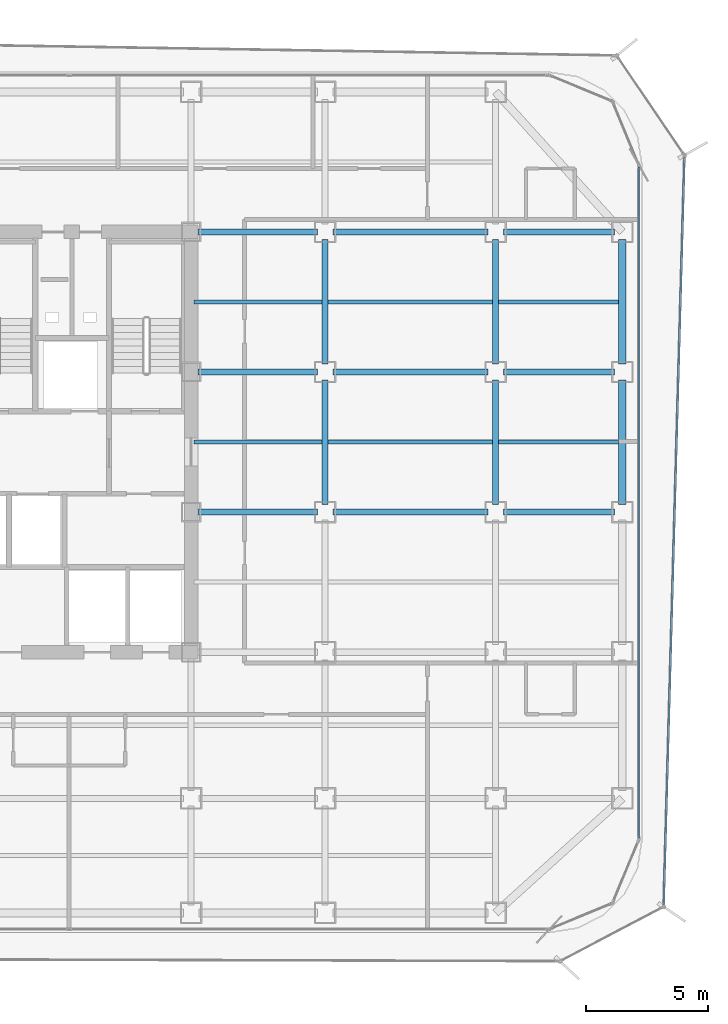
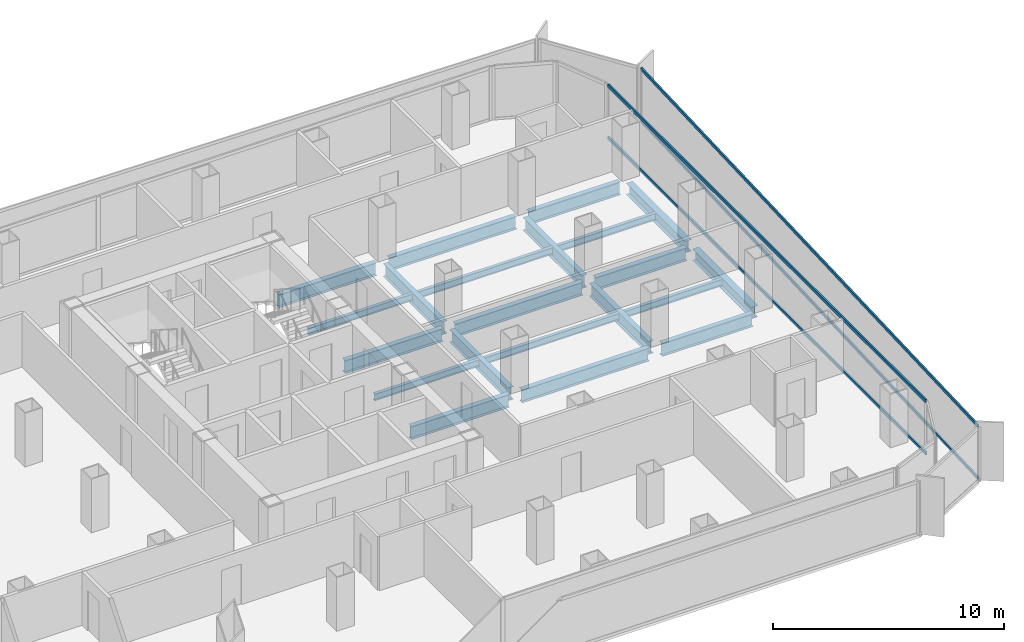
# One storey, part 9 of 21: 21 beams, 4 members, 2 elements without a shape of their own.
"""IFC4 building model written with IfcOpenShell, lengths in metres."""

from ifc_helpers import new_model, si_unit, direction, frame, origin, origin_2d, place, context, subcontext, project, spatial, hollow_rectangle, i_section, extrude, source, transform, mapped, material, layer, layer_set, material_profile, profile_set, type_object, element, aggregate, save


model = new_model("IFC4")

# Units and contexts
model_context = context("Model", 3, precision=1e-05, world=origin(), true_north=direction((0.0, 1.0)))
body_context = subcontext(model_context, "Body", "Model", "MODEL_VIEW")
ifc_project = project(units=[si_unit("LENGTHUNIT", "METRE"), si_unit("AREAUNIT", "SQUARE_METRE"), si_unit("VOLUMEUNIT", "CUBIC_METRE"), si_unit("PLANEANGLEUNIT", "RADIAN"), si_unit("MASSUNIT", "GRAM", prefix="KILO")], contexts=[model_context])

# Site, building, storey
site_placement = place(None, origin())
site = spatial("IfcSite", under=ifc_project, at=site_placement, CompositionType="ELEMENT")
building_placement = place(site_placement, origin())
building = spatial("IfcBuilding", under=site, at=building_placement, Name="Kolveth Station Tower", CompositionType="ELEMENT")
storey_placement = place(building_placement, frame((0.0, 0.0, 140.699951171875)))
storey = spatial("IfcBuildingStorey", under=building, at=storey_placement, Name="L39", CompositionType="ELEMENT", Elevation=140.699951171875)

# Beams
ifc_material_1 = material(Name="Steel S355", Category="steel")
ifc_material_profile_1 = material_profile(ifc_material_1, i_section(OverallWidth=0.323974609375, OverallDepth=0.611083984375, WebThickness=0.0126953125, FlangeThickness=0.01904296875, at=origin_2d()), Name="W610x155")
ifc_profile_set_1 = profile_set([ifc_material_profile_1], Name="Steel S355")
beam_type_1 = type_object("IfcBeamType", Name="Beam_SP2", PredefinedType="SPANDREL", material=ifc_profile_set_1)
shared_shape_1 = source(origin(), body_context, "Body", "SweptSolid", [
    extrude(i_section(OverallWidth=0.323974609375, OverallDepth=0.611083984375, WebThickness=0.0126953125, FlangeThickness=0.01904296875, at=origin_2d()), origin(), (0.0, 0.0, 1.0), 5.10986328125),
])
for number, where, z_axis, x_axis, name in (
    (1, (46.199951171875, 17.570068359375, -0.555419921875), (0.0, 1.0, 0.0), (-1.0, 0.0, 0.0), "L39 Perimeter Spandrel BM-L39-PE-3"),
    (2, (46.199951171875, 23.320068359375, -0.555419921875), (0.0, 1.0, 0.0), (-1.0, 0.0, 0.0), "L39 Perimeter Spandrel BM-L39-PE-4"),
):
    element("IfcBeam", number, at=place(storey_placement, frame(where, z_axis=z_axis, x_axis=x_axis)), inside=storey, type_object=beam_type_1, Name=name, PredefinedType="SPANDREL", context=body_context, shape_type="MappedRepresentation", body=[
        mapped(shared_shape_1, transform((0.0, 0.0, 0.0), x_axis=(1.0, 0.0, 0.0), y_axis=(0.0, 1.0, 0.0), z_axis=(0.0, 0.0, 1.0), scale=1.0)),
    ])
ifc_material_profile_2 = material_profile(ifc_material_1, i_section(OverallWidth=0.25390625, OverallDepth=0.68798828125, WebThickness=0.01318359375, FlangeThickness=0.02099609375, at=origin_2d()), Name="W690x152")
ifc_profile_set_2 = profile_set([ifc_material_profile_2], Name="Steel S355")
beam_type_2 = type_object("IfcBeamType", Name="Beam_B4", PredefinedType="BEAM", material=ifc_profile_set_2)
shared_shape_2 = source(origin(), body_context, "Body", "SweptSolid", [
    extrude(i_section(OverallWidth=0.25390625, OverallDepth=0.68798828125, WebThickness=0.01318359375, FlangeThickness=0.02099609375, at=origin_2d()), origin(), (0.0, 0.0, 1.0), 4.559814453125),
])
for number, where, z_axis, x_axis, name in (
    (3, (41.320068359375, 17.25, -0.593994140625), (1.0, 0.0, 0.0), (0.0, 1.0, 0.0), "L39 Primary Girder BM-L39-GY172-7"),
    (4, (41.320068359375, 23.0, -0.593994140625), (1.0, 0.0, 0.0), (0.0, 1.0, 0.0), "L39 Primary Girder BM-L39-GY230-7"),
    (5, (41.320068359375, 28.75, -0.593994140625), (1.0, 0.0, 0.0), (0.0, 1.0, 0.0), "L39 Primary Girder BM-L39-GY287-7"),
):
    element("IfcBeam", number, at=place(storey_placement, frame(where, z_axis=z_axis, x_axis=x_axis)), inside=storey, type_object=beam_type_2, Name=name, PredefinedType="BEAM", context=body_context, shape_type="MappedRepresentation", body=[
        mapped(shared_shape_2, transform((0.0, 0.0, 0.0), x_axis=(1.0, 0.0, 0.0), y_axis=(0.0, 1.0, 0.0), z_axis=(0.0, 0.0, 1.0), scale=1.0)),
    ])
shared_shape_3 = source(origin(), body_context, "Body", "SweptSolid", [
    extrude(i_section(OverallWidth=0.25390625, OverallDepth=0.68798828125, WebThickness=0.01318359375, FlangeThickness=0.02099609375, at=origin_2d()), origin(), (0.0, 0.0, 1.0), 6.35986328125),
])
for number, where, z_axis, x_axis, name in (
    (6, (34.320068359375, 17.25, -0.593994140625), (1.0, 0.0, 0.0), (0.0, 1.0, 0.0), "L39 Primary Girder BM-L39-GY172-6"),
    (7, (34.320068359375, 23.0, -0.593994140625), (1.0, 0.0, 0.0), (0.0, 1.0, 0.0), "L39 Primary Girder BM-L39-GY230-6"),
    (8, (34.320068359375, 28.75, -0.593994140625), (1.0, 0.0, 0.0), (0.0, 1.0, 0.0), "L39 Primary Girder BM-L39-GY287-6"),
):
    element("IfcBeam", number, at=place(storey_placement, frame(where, z_axis=z_axis, x_axis=x_axis)), inside=storey, type_object=beam_type_2, Name=name, PredefinedType="BEAM", context=body_context, shape_type="MappedRepresentation", body=[
        mapped(shared_shape_3, transform((0.0, 0.0, 0.0), x_axis=(1.0, 0.0, 0.0), y_axis=(0.0, 1.0, 0.0), z_axis=(0.0, 0.0, 1.0), scale=1.0)),
    ])
shared_shape_4 = source(origin(), body_context, "Body", "SweptSolid", [
    extrude(i_section(OverallWidth=0.25390625, OverallDepth=0.68798828125, WebThickness=0.01318359375, FlangeThickness=0.02099609375, at=origin_2d()), origin(), (0.0, 0.0, 1.0), 4.89990234375),
])
for number, where, z_axis, x_axis, name in (
    (9, (28.780029296875, 17.25, -0.593994140625), (1.0, 0.0, 0.0), (0.0, 1.0, 0.0), "L39 Primary Girder BM-L39-GY172-5"),
    (10, (28.780029296875, 23.0, -0.593994140625), (1.0, 0.0, 0.0), (0.0, 1.0, 0.0), "L39 Primary Girder BM-L39-GY230-5"),
    (11, (28.780029296875, 28.75, -0.593994140625), (1.0, 0.0, 0.0), (0.0, 1.0, 0.0), "L39 Primary Girder BM-L39-GY287-5"),
):
    element("IfcBeam", number, at=place(storey_placement, frame(where, z_axis=z_axis, x_axis=x_axis)), inside=storey, type_object=beam_type_2, Name=name, PredefinedType="BEAM", context=body_context, shape_type="MappedRepresentation", body=[
        mapped(shared_shape_4, transform((0.0, 0.0, 0.0), x_axis=(1.0, 0.0, 0.0), y_axis=(0.0, 1.0, 0.0), z_axis=(0.0, 0.0, 1.0), scale=1.0)),
    ])
shared_shape_5 = source(origin(), body_context, "Body", "SweptSolid", [
    extrude(i_section(OverallWidth=0.25390625, OverallDepth=0.68798828125, WebThickness=0.01318359375, FlangeThickness=0.02099609375, at=origin_2d()), origin(), (0.0, 0.0, 1.0), 5.10986328125),
])
for number, where, z_axis, x_axis, name in (
    (12, (34.0, 17.570068359375, -0.593994140625), (0.0, 1.0, 0.0), (-1.0, 0.0, 0.0), "L39 Primary Girder BM-L39-GX340-4"),
    (13, (34.0, 23.320068359375, -0.593994140625), (0.0, 1.0, 0.0), (-1.0, 0.0, 0.0), "L39 Primary Girder BM-L39-GX340-5"),
    (14, (41.0, 17.570068359375, -0.593994140625), (0.0, 1.0, 0.0), (-1.0, 0.0, 0.0), "L39 Primary Girder BM-L39-GX410-4"),
    (15, (41.0, 23.320068359375, -0.593994140625), (0.0, 1.0, 0.0), (-1.0, 0.0, 0.0), "L39 Primary Girder BM-L39-GX410-5"),
):
    element("IfcBeam", number, at=place(storey_placement, frame(where, z_axis=z_axis, x_axis=x_axis)), inside=storey, type_object=beam_type_2, Name=name, PredefinedType="BEAM", context=body_context, shape_type="MappedRepresentation", body=[
        mapped(shared_shape_5, transform((0.0, 0.0, 0.0), x_axis=(1.0, 0.0, 0.0), y_axis=(0.0, 1.0, 0.0), z_axis=(0.0, 0.0, 1.0), scale=1.0)),
    ])
ifc_material_profile_3 = material_profile(ifc_material_1, i_section(OverallWidth=0.1708984375, OverallDepth=0.35205078125, WebThickness=0.0068359375, FlangeThickness=0.009765625, at=origin_2d()), Name="W360x44")
ifc_profile_set_3 = profile_set([ifc_material_profile_3], Name="Steel S355")
beam_type_3 = type_object("IfcBeamType", Name="Beam_J2", PredefinedType="JOIST", material=ifc_profile_set_3)
shared_shape_6 = source(origin(), body_context, "Body", "SweptSolid", [
    extrude(i_section(OverallWidth=0.1708984375, OverallDepth=0.35205078125, WebThickness=0.0068359375, FlangeThickness=0.009765625, at=origin_2d()), origin(), (0.0, 0.0, 1.0), 4.9150390625),
])
for number, where, z_axis, x_axis, name in (
    (16, (41.125, 20.125, -0.426025390625), (1.0, 0.0, 0.0), (0.0, 1.0, 0.0), "L39 Secondary Joist JST-L39-7-4"),
    (17, (41.125, 25.875, -0.426025390625), (1.0, 0.0, 0.0), (0.0, 1.0, 0.0), "L39 Secondary Joist JST-L39-7-5"),
):
    element("IfcBeam", number, at=place(storey_placement, frame(where, z_axis=z_axis, x_axis=x_axis)), inside=storey, type_object=beam_type_3, Name=name, PredefinedType="JOIST", context=body_context, shape_type="MappedRepresentation", body=[
        mapped(shared_shape_6, transform((0.0, 0.0, 0.0), x_axis=(1.0, 0.0, 0.0), y_axis=(0.0, 1.0, 0.0), z_axis=(0.0, 0.0, 1.0), scale=1.0)),
    ])
shared_shape_7 = source(origin(), body_context, "Body", "SweptSolid", [
    extrude(i_section(OverallWidth=0.1708984375, OverallDepth=0.35205078125, WebThickness=0.0068359375, FlangeThickness=0.009765625, at=origin_2d()), origin(), (0.0, 0.0, 1.0), 6.75),
])
for number, where, z_axis, x_axis, name in (
    (18, (34.125, 20.125, -0.426025390625), (1.0, 0.0, 0.0), (0.0, 1.0, 0.0), "L39 Secondary Joist JST-L39-6-4"),
    (19, (34.125, 25.875, -0.426025390625), (1.0, 0.0, 0.0), (0.0, 1.0, 0.0), "L39 Secondary Joist JST-L39-6-5"),
):
    element("IfcBeam", number, at=place(storey_placement, frame(where, z_axis=z_axis, x_axis=x_axis)), inside=storey, type_object=beam_type_3, Name=name, PredefinedType="JOIST", context=body_context, shape_type="MappedRepresentation", body=[
        mapped(shared_shape_7, transform((0.0, 0.0, 0.0), x_axis=(1.0, 0.0, 0.0), y_axis=(0.0, 1.0, 0.0), z_axis=(0.0, 0.0, 1.0), scale=1.0)),
    ])
shared_shape_8 = source(origin(), body_context, "Body", "SweptSolid", [
    extrude(i_section(OverallWidth=0.1708984375, OverallDepth=0.35205078125, WebThickness=0.0068359375, FlangeThickness=0.009765625, at=origin_2d()), origin(), (0.0, 0.0, 1.0), 5.25),
])
for number, where, z_axis, x_axis, name in (
    (20, (28.625, 20.125, -0.426025390625), (1.0, 0.0, 0.0), (0.0, 1.0, 0.0), "L39 Secondary Joist JST-L39-5-4"),
    (21, (28.625, 25.875, -0.426025390625), (1.0, 0.0, 0.0), (0.0, 1.0, 0.0), "L39 Secondary Joist JST-L39-5-5"),
):
    element("IfcBeam", number, at=place(storey_placement, frame(where, z_axis=z_axis, x_axis=x_axis)), inside=storey, type_object=beam_type_3, Name=name, PredefinedType="JOIST", context=body_context, shape_type="MappedRepresentation", body=[
        mapped(shared_shape_8, transform((0.0, 0.0, 0.0), x_axis=(1.0, 0.0, 0.0), y_axis=(0.0, 1.0, 0.0), z_axis=(0.0, 0.0, 1.0), scale=1.0)),
    ])

# Curtain wall, members
ifc_material_2 = material(Name="Aluminium 6063-T6 and low-E dark glass", Category="aluminium")
ifc_layer_1 = layer(ifc_material_2, 0.18994140625)
ifc_layer_set_1 = layer_set([ifc_layer_1], Name="Aluminium 6063-T6 and low-E dark glass")
curtain_wall_type_1 = type_object("IfcCurtainWallType", Name="CurtainWall_CW-Z2", PredefinedType="NOTDEFINED", material=ifc_layer_set_1)
curtain_wall_1_placement = place(storey_placement, origin())
curtain_wall_1 = element("IfcCurtainWall", 22, at=curtain_wall_1_placement, inside=storey, type_object=curtain_wall_type_1, Name="L39 Inner Thermal Curtain Wall 3", PredefinedType="NOTDEFINED")
ifc_material_3 = material(Name="Black anodized aluminium 6063-T6", Category="aluminium")
ifc_material_profile_4 = material_profile(ifc_material_3, hollow_rectangle(XDim=0.080078125, YDim=0.169921875, WallThickness=0.0048828125, at=origin_2d()), Name="ALU-80x170x5")
ifc_profile_set_4 = profile_set([ifc_material_profile_4], Name="Black anodized aluminium 6063-T6")
member_type_1 = type_object("IfcMemberType", Name="Transom_TR2", PredefinedType="USERDEFINED", material=ifc_profile_set_4)
shared_shape_9 = source(origin(), body_context, "Body", "SweptSolid", [
    extrude(hollow_rectangle(XDim=0.080078125, YDim=0.169921875, WallThickness=0.0048828125, at=origin_2d()), origin(), (0.0, 0.0, 1.0), 27.5400390625),
])
member_1_placement = place(storey_placement, frame((46.8798828125, 3.8798828125, 0.0400390625), z_axis=(0.0, 1.0, 0.0), x_axis=(-1.0, 0.0, 0.0)))
member_1 = element("IfcMember", 23, at=member_1_placement, type_object=member_type_1, Name="CW-Z2 transom 1.1", ObjectType="TRANSOM", PredefinedType="USERDEFINED", context=body_context, shape_type="MappedRepresentation", body=[
    mapped(shared_shape_9, transform((0.0, 0.0, 0.0), x_axis=(1.0, 0.0, 0.0), y_axis=(0.0, 1.0, 0.0), z_axis=(0.0, 0.0, 1.0), scale=1.0)),
])
member_2_placement = place(storey_placement, frame((46.8798828125, 3.8798828125, 2.800048828125), z_axis=(0.0, 1.0, 0.0), x_axis=(-1.0, 0.0, 0.0)))
member_2 = element("IfcMember", 24, at=member_2_placement, type_object=member_type_1, Name="CW-Z2 transom 1.2", ObjectType="TRANSOM", PredefinedType="USERDEFINED", context=body_context, shape_type="MappedRepresentation", body=[
    mapped(shared_shape_9, transform((0.0, 0.0, 0.0), x_axis=(1.0, 0.0, 0.0), y_axis=(0.0, 1.0, 0.0), z_axis=(0.0, 0.0, 1.0), scale=1.0)),
])
aggregate(curtain_wall_1, [member_1, member_2])

ifc_material_4 = material(Name="Black anodized aluminium 6063-T6 and dark solar glass", Category="aluminium")
ifc_layer_2 = layer(ifc_material_4, 0.159912109375)
ifc_layer_set_2 = layer_set([ifc_layer_2], Name="Black anodized aluminium 6063-T6 and dark solar glass")
curtain_wall_type_2 = type_object("IfcCurtainWallType", Name="OUTER SKIN CW-OS", PredefinedType="NOTDEFINED", material=ifc_layer_set_2)
curtain_wall_2_placement = place(storey_placement, origin())
curtain_wall_2 = element("IfcCurtainWall", 25, at=curtain_wall_2_placement, inside=storey, type_object=curtain_wall_type_2, Name="L39 Outer Ventilated Skin Curtain Wall 2", PredefinedType="NOTDEFINED")
ifc_material_profile_5 = material_profile(ifc_material_3, hollow_rectangle(XDim=0.080078125, YDim=0.14990234375, WallThickness=0.0048828125, at=origin_2d()), Name="ALU-80x150x5")
ifc_profile_set_5 = profile_set([ifc_material_profile_5], Name="Black anodized aluminium 6063-T6")
member_type_2 = type_object("IfcMemberType", Name="Transom_TR-OS", PredefinedType="USERDEFINED", material=ifc_profile_set_5)
shared_shape_10 = source(origin(), body_context, "Body", "SweptSolid", [
    extrude(hollow_rectangle(XDim=0.080078125, YDim=0.14990234375, WallThickness=0.0048828125, at=origin_2d()), origin(), (0.0, 0.0, 1.0), 30.6826171875),
])
member_3_placement = place(storey_placement, frame((47.899658203125, 1.1396484375, 0.0400390625), z_axis=(0.027745865075, 0.999615009377, 0.0), x_axis=(-0.999615009377, 0.027745865075, 0.0)))
member_3 = element("IfcMember", 26, at=member_3_placement, type_object=member_type_2, Name="CW-OS transom 1.1", ObjectType="TRANSOM", PredefinedType="USERDEFINED", context=body_context, shape_type="MappedRepresentation", body=[
    mapped(shared_shape_10, transform((0.0, 0.0, 0.0), x_axis=(1.0, 0.0, 0.0), y_axis=(0.0, 1.0, 0.0), z_axis=(0.0, 0.0, 1.0), scale=1.0)),
])
member_4_placement = place(storey_placement, frame((47.899658203125, 1.1396484375, 2.800048828125), z_axis=(0.027745865075, 0.999615009377, 0.0), x_axis=(-0.999615009377, 0.027745865075, 0.0)))
member_4 = element("IfcMember", 27, at=member_4_placement, type_object=member_type_2, Name="CW-OS transom 1.2", ObjectType="TRANSOM", PredefinedType="USERDEFINED", context=body_context, shape_type="MappedRepresentation", body=[
    mapped(shared_shape_10, transform((0.0, 0.0, 0.0), x_axis=(1.0, 0.0, 0.0), y_axis=(0.0, 1.0, 0.0), z_axis=(0.0, 0.0, 1.0), scale=1.0)),
])
aggregate(curtain_wall_2, [member_3, member_4])

save(model, "model.ifc")
